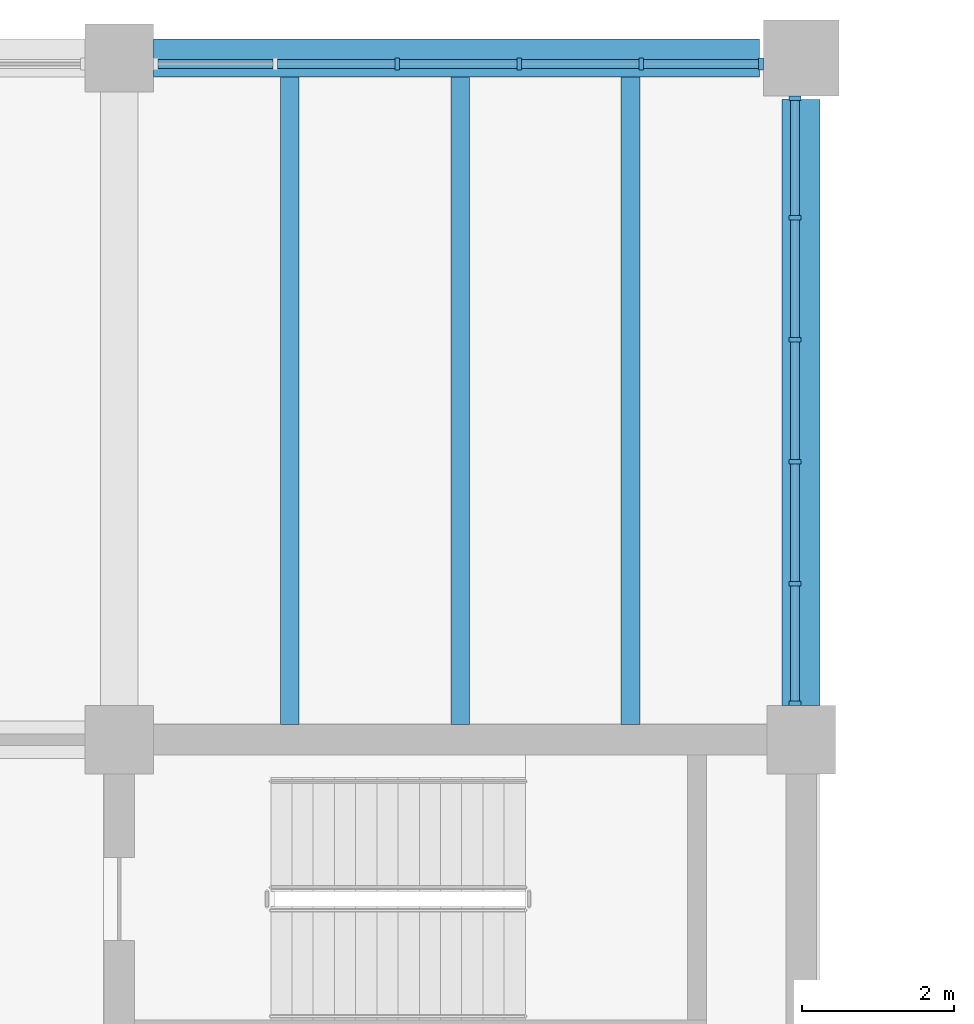
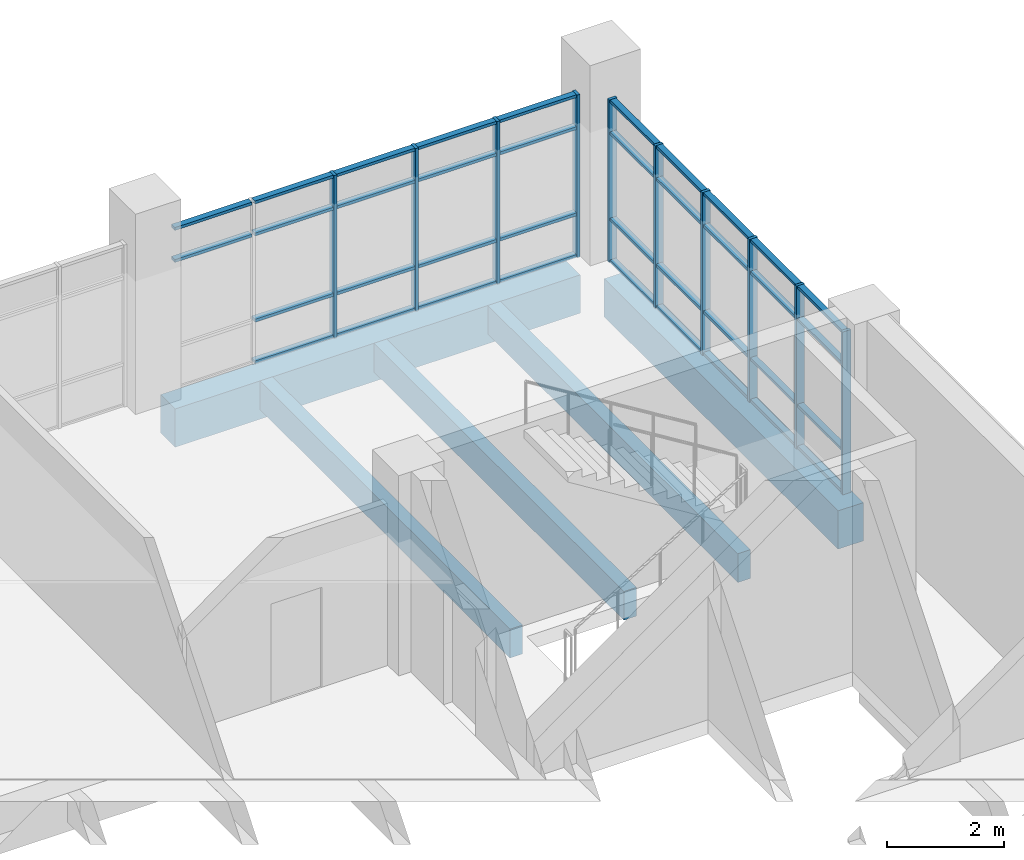
# One storey, part 35 of 88: 48 members, 5 beams, 2 elements without a shape of their own.
"""IFC4 building model written with IfcOpenShell, lengths in metres."""

from ifc_helpers import new_model, si_unit, direction, frame, origin, origin_2d, place, context, subcontext, project, spatial, rectangle, extrude, material, material_profile, profile_set, type_object, element, aggregate, save


model = new_model("IFC4")

# Units and contexts
model_context = context("Model", 3, precision=1e-05, world=origin(), true_north=direction((0.0, 1.0)))
body_context = subcontext(model_context, "Body", "Model", "MODEL_VIEW")
ifc_project = project(units=[si_unit("LENGTHUNIT", "METRE"), si_unit("AREAUNIT", "SQUARE_METRE"), si_unit("VOLUMEUNIT", "CUBIC_METRE"), si_unit("PLANEANGLEUNIT", "RADIAN"), si_unit("MASSUNIT", "GRAM", prefix="KILO")], contexts=[model_context])

# Site, building, storey
site_placement = place(None, origin())
site = spatial("IfcSite", under=ifc_project, at=site_placement, CompositionType="ELEMENT")
building_placement = place(site_placement, origin())
building = spatial("IfcBuilding", under=site, at=building_placement, Name="Merrow Basin Faculty of Sciences", CompositionType="ELEMENT")
storey_placement = place(building_placement, frame((0.0, 0.0, 9.0)))
storey = spatial("IfcBuildingStorey", under=building, at=storey_placement, Name="L02", CompositionType="ELEMENT", Elevation=9.0)

# Curtain wall, members
ifc_material_1 = material(Name="Aluminium alloy 6063", Category="aluminium")
curtain_wall_type = type_object("IfcCurtainWallType", Name="Unitised curtain wall 160", PredefinedType="NOTDEFINED", material=ifc_material_1)
curtain_wall_1_placement = place(storey_placement, origin())
curtain_wall_1 = element("IfcCurtainWall", 1, at=curtain_wall_1_placement, inside=storey, type_object=curtain_wall_type, Name="N curtain wall L02 7", PredefinedType="NOTDEFINED")
ifc_material_2 = material(Name="Aluminium alloy 6063", Category="aluminium")
ifc_material_profile_1 = material_profile(ifc_material_2, rectangle(XDim=0.159912109375, YDim=0.06005859375, at=origin_2d()))
ifc_profile_set_1 = profile_set([ifc_material_profile_1], Name="Aluminium alloy 6063")
member_type_1 = type_object("IfcMemberType", Name="Aluminium mullion 60x160", PredefinedType="MULLION", material=ifc_profile_set_1)
member_1_placement = place(storey_placement, frame((48.669921875, 168.919921875, 0.0), z_axis=(0.0, 0.0, 1.0), x_axis=(0.0, 1.0, 0.0)))
member_1 = element("IfcMember", 2, at=member_1_placement, type_object=member_type_1, Name="CW3 mullion 3", PredefinedType="MULLION", context=body_context, shape_type="SweptSolid", body=[
    extrude(rectangle(XDim=0.159912109375, YDim=0.06005859375, at=origin_2d()), origin(), (0.0, 0.0, 1.0), 3.39990234375),
])
member_2_placement = place(storey_placement, frame((50.280029296875, 168.919921875, 0.0), z_axis=(0.0, 0.0, 1.0), x_axis=(0.0, 1.0, 0.0)))
member_2 = element("IfcMember", 3, at=member_2_placement, type_object=member_type_1, Name="CW3 mullion 4", PredefinedType="MULLION", context=body_context, shape_type="SweptSolid", body=[
    extrude(rectangle(XDim=0.159912109375, YDim=0.06005859375, at=origin_2d()), origin(), (0.0, 0.0, 1.0), 3.39990234375),
])
member_3_placement = place(storey_placement, frame((51.889892578125, 168.919921875, 0.0), z_axis=(0.0, 0.0, 1.0), x_axis=(0.0, 1.0, 0.0)))
member_3 = element("IfcMember", 4, at=member_3_placement, type_object=member_type_1, Name="CW3 mullion 5", PredefinedType="MULLION", context=body_context, shape_type="SweptSolid", body=[
    extrude(rectangle(XDim=0.159912109375, YDim=0.06005859375, at=origin_2d()), origin(), (0.0, 0.0, 1.0), 3.39990234375),
])
member_4_placement = place(storey_placement, frame((53.469970703125, 168.919921875, 0.0), z_axis=(0.0, 0.0, 1.0), x_axis=(0.0, 1.0, 0.0)))
member_4 = element("IfcMember", 5, at=member_4_placement, type_object=member_type_1, Name="CW3 mullion 6", PredefinedType="MULLION", context=body_context, shape_type="SweptSolid", body=[
    extrude(rectangle(XDim=0.159912109375, YDim=0.06005859375, at=origin_2d()), origin(), (0.0, 0.0, 1.0), 3.39990234375),
])

curtain_wall_2_placement = place(storey_placement, origin())
curtain_wall_2 = element("IfcCurtainWall", 6, at=curtain_wall_2_placement, inside=storey, type_object=curtain_wall_type, Name="E curtain wall L02 1", PredefinedType="NOTDEFINED")
member_5_placement = place(storey_placement, frame((53.919921875, 160.47998046875, 0.0), z_axis=(0.0, 0.0, 1.0), x_axis=(-1.0, 0.0, 0.0)))
member_5 = element("IfcMember", 7, at=member_5_placement, type_object=member_type_1, Name="CW3 mullion 1", PredefinedType="MULLION", context=body_context, shape_type="SweptSolid", body=[
    extrude(rectangle(XDim=0.159912109375, YDim=0.06005859375, at=origin_2d()), origin(), (0.0, 0.0, 1.0), 3.39990234375),
])
member_6_placement = place(storey_placement, frame((53.919921875, 162.06005859375, 0.0), z_axis=(0.0, 0.0, 1.0), x_axis=(-1.0, 0.0, 0.0)))
member_6 = element("IfcMember", 8, at=member_6_placement, type_object=member_type_1, Name="CW3 mullion 2", PredefinedType="MULLION", context=body_context, shape_type="SweptSolid", body=[
    extrude(rectangle(XDim=0.159912109375, YDim=0.06005859375, at=origin_2d()), origin(), (0.0, 0.0, 1.0), 3.39990234375),
])
member_7_placement = place(storey_placement, frame((53.919921875, 163.669921875, 0.0), z_axis=(0.0, 0.0, 1.0), x_axis=(-1.0, 0.0, 0.0)))
member_7 = element("IfcMember", 9, at=member_7_placement, type_object=member_type_1, Name="CW3 mullion 3", PredefinedType="MULLION", context=body_context, shape_type="SweptSolid", body=[
    extrude(rectangle(XDim=0.159912109375, YDim=0.06005859375, at=origin_2d()), origin(), (0.0, 0.0, 1.0), 3.39990234375),
])
member_8_placement = place(storey_placement, frame((53.919921875, 165.280029296875, 0.0), z_axis=(0.0, 0.0, 1.0), x_axis=(-1.0, 0.0, 0.0)))
member_8 = element("IfcMember", 10, at=member_8_placement, type_object=member_type_1, Name="CW3 mullion 4", PredefinedType="MULLION", context=body_context, shape_type="SweptSolid", body=[
    extrude(rectangle(XDim=0.159912109375, YDim=0.06005859375, at=origin_2d()), origin(), (0.0, 0.0, 1.0), 3.39990234375),
])
member_9_placement = place(storey_placement, frame((53.919921875, 166.889892578125, 0.0), z_axis=(0.0, 0.0, 1.0), x_axis=(-1.0, 0.0, 0.0)))
member_9 = element("IfcMember", 11, at=member_9_placement, type_object=member_type_1, Name="CW3 mullion 5", PredefinedType="MULLION", context=body_context, shape_type="SweptSolid", body=[
    extrude(rectangle(XDim=0.159912109375, YDim=0.06005859375, at=origin_2d()), origin(), (0.0, 0.0, 1.0), 3.39990234375),
])
member_10_placement = place(storey_placement, frame((53.919921875, 168.469970703125, 0.0), z_axis=(0.0, 0.0, 1.0), x_axis=(-1.0, 0.0, 0.0)))
member_10 = element("IfcMember", 12, at=member_10_placement, type_object=member_type_1, Name="CW3 mullion 6", PredefinedType="MULLION", context=body_context, shape_type="SweptSolid", body=[
    extrude(rectangle(XDim=0.159912109375, YDim=0.06005859375, at=origin_2d()), origin(), (0.0, 0.0, 1.0), 3.39990234375),
])

# Member
ifc_material_3 = material(Name="Aluminium alloy 6063", Category="aluminium")
ifc_material_profile_2 = material_profile(ifc_material_3, rectangle(XDim=0.1201171875, YDim=0.06005859375, at=origin_2d()))
ifc_profile_set_2 = profile_set([ifc_material_profile_2], Name="Aluminium alloy 6063")
member_type_2 = type_object("IfcMemberType", Name="Aluminium transom 60x120", PredefinedType="USERDEFINED", material=ifc_profile_set_2)
member_11_placement = place(storey_placement, frame((45.510009765625, 168.919921875, 2.699951171875), z_axis=(1.0, 0.0, 0.0), x_axis=(0.0, 1.0, 0.0)))
member_11 = element("IfcMember", 13, at=member_11_placement, type_object=member_type_2, Name="CW3 transom 1.3", ObjectType="TRANSOM", PredefinedType="USERDEFINED", context=body_context, shape_type="SweptSolid", body=[
    extrude(rectangle(XDim=0.1201171875, YDim=0.06005859375, at=origin_2d()), origin(), (0.0, 0.0, 1.0), 1.52001953125),
])

member_12_placement = place(storey_placement, frame((45.510009765625, 168.919921875, 3.3701171875), z_axis=(1.0, 0.0, 0.0), x_axis=(0.0, 1.0, 0.0)))
member_12 = element("IfcMember", 14, at=member_12_placement, type_object=member_type_2, Name="CW3 transom 1.4", ObjectType="TRANSOM", PredefinedType="USERDEFINED", context=body_context, shape_type="SweptSolid", body=[
    extrude(rectangle(XDim=0.1201171875, YDim=0.06005859375, at=origin_2d()), origin(), (0.0, 0.0, 1.0), 1.52001953125),
])

member_13_placement = place(storey_placement, frame((47.090087890625, 168.919921875, 0.030029296875), z_axis=(1.0, 0.0, 0.0), x_axis=(0.0, 1.0, 0.0)))
member_13 = element("IfcMember", 15, at=member_13_placement, type_object=member_type_2, Name="CW3 transom 2.1", ObjectType="TRANSOM", PredefinedType="USERDEFINED", context=body_context, shape_type="SweptSolid", body=[
    extrude(rectangle(XDim=0.1201171875, YDim=0.06005859375, at=origin_2d()), origin(), (0.0, 0.0, 1.0), 1.5498046875),
])

member_14_placement = place(storey_placement, frame((47.090087890625, 168.919921875, 0.89990234375), z_axis=(1.0, 0.0, 0.0), x_axis=(0.0, 1.0, 0.0)))
member_14 = element("IfcMember", 16, at=member_14_placement, type_object=member_type_2, Name="CW3 transom 2.2", ObjectType="TRANSOM", PredefinedType="USERDEFINED", context=body_context, shape_type="SweptSolid", body=[
    extrude(rectangle(XDim=0.1201171875, YDim=0.06005859375, at=origin_2d()), origin(), (0.0, 0.0, 1.0), 1.5498046875),
])

member_15_placement = place(storey_placement, frame((47.090087890625, 168.919921875, 2.699951171875), z_axis=(1.0, 0.0, 0.0), x_axis=(0.0, 1.0, 0.0)))
member_15 = element("IfcMember", 17, at=member_15_placement, type_object=member_type_2, Name="CW3 transom 2.3", ObjectType="TRANSOM", PredefinedType="USERDEFINED", context=body_context, shape_type="SweptSolid", body=[
    extrude(rectangle(XDim=0.1201171875, YDim=0.06005859375, at=origin_2d()), origin(), (0.0, 0.0, 1.0), 1.5498046875),
])

member_16_placement = place(storey_placement, frame((47.090087890625, 168.919921875, 3.3701171875), z_axis=(1.0, 0.0, 0.0), x_axis=(0.0, 1.0, 0.0)))
member_16 = element("IfcMember", 18, at=member_16_placement, type_object=member_type_2, Name="CW3 transom 2.4", ObjectType="TRANSOM", PredefinedType="USERDEFINED", context=body_context, shape_type="SweptSolid", body=[
    extrude(rectangle(XDim=0.1201171875, YDim=0.06005859375, at=origin_2d()), origin(), (0.0, 0.0, 1.0), 1.5498046875),
])

member_17_placement = place(storey_placement, frame((48.699951171875, 168.919921875, 0.030029296875), z_axis=(1.0, 0.0, 0.0), x_axis=(0.0, 1.0, 0.0)))
member_17 = element("IfcMember", 19, at=member_17_placement, type_object=member_type_2, Name="CW3 transom 3.1", ObjectType="TRANSOM", PredefinedType="USERDEFINED", context=body_context, shape_type="SweptSolid", body=[
    extrude(rectangle(XDim=0.1201171875, YDim=0.06005859375, at=origin_2d()), origin(), (0.0, 0.0, 1.0), 1.550048828125),
])

member_18_placement = place(storey_placement, frame((48.699951171875, 168.919921875, 0.89990234375), z_axis=(1.0, 0.0, 0.0), x_axis=(0.0, 1.0, 0.0)))
member_18 = element("IfcMember", 20, at=member_18_placement, type_object=member_type_2, Name="CW3 transom 3.2", ObjectType="TRANSOM", PredefinedType="USERDEFINED", context=body_context, shape_type="SweptSolid", body=[
    extrude(rectangle(XDim=0.1201171875, YDim=0.06005859375, at=origin_2d()), origin(), (0.0, 0.0, 1.0), 1.550048828125),
])

member_19_placement = place(storey_placement, frame((48.699951171875, 168.919921875, 2.699951171875), z_axis=(1.0, 0.0, 0.0), x_axis=(0.0, 1.0, 0.0)))
member_19 = element("IfcMember", 21, at=member_19_placement, type_object=member_type_2, Name="CW3 transom 3.3", ObjectType="TRANSOM", PredefinedType="USERDEFINED", context=body_context, shape_type="SweptSolid", body=[
    extrude(rectangle(XDim=0.1201171875, YDim=0.06005859375, at=origin_2d()), origin(), (0.0, 0.0, 1.0), 1.550048828125),
])

member_20_placement = place(storey_placement, frame((48.699951171875, 168.919921875, 3.3701171875), z_axis=(1.0, 0.0, 0.0), x_axis=(0.0, 1.0, 0.0)))
member_20 = element("IfcMember", 22, at=member_20_placement, type_object=member_type_2, Name="CW3 transom 3.4", ObjectType="TRANSOM", PredefinedType="USERDEFINED", context=body_context, shape_type="SweptSolid", body=[
    extrude(rectangle(XDim=0.1201171875, YDim=0.06005859375, at=origin_2d()), origin(), (0.0, 0.0, 1.0), 1.550048828125),
])

member_21_placement = place(storey_placement, frame((50.31005859375, 168.919921875, 0.030029296875), z_axis=(1.0, 0.0, 0.0), x_axis=(0.0, 1.0, 0.0)))
member_21 = element("IfcMember", 23, at=member_21_placement, type_object=member_type_2, Name="CW3 transom 4.1", ObjectType="TRANSOM", PredefinedType="USERDEFINED", context=body_context, shape_type="SweptSolid", body=[
    extrude(rectangle(XDim=0.1201171875, YDim=0.06005859375, at=origin_2d()), origin(), (0.0, 0.0, 1.0), 1.550048828125),
])

member_22_placement = place(storey_placement, frame((50.31005859375, 168.919921875, 0.89990234375), z_axis=(1.0, 0.0, 0.0), x_axis=(0.0, 1.0, 0.0)))
member_22 = element("IfcMember", 24, at=member_22_placement, type_object=member_type_2, Name="CW3 transom 4.2", ObjectType="TRANSOM", PredefinedType="USERDEFINED", context=body_context, shape_type="SweptSolid", body=[
    extrude(rectangle(XDim=0.1201171875, YDim=0.06005859375, at=origin_2d()), origin(), (0.0, 0.0, 1.0), 1.550048828125),
])

member_23_placement = place(storey_placement, frame((50.31005859375, 168.919921875, 2.699951171875), z_axis=(1.0, 0.0, 0.0), x_axis=(0.0, 1.0, 0.0)))
member_23 = element("IfcMember", 25, at=member_23_placement, type_object=member_type_2, Name="CW3 transom 4.3", ObjectType="TRANSOM", PredefinedType="USERDEFINED", context=body_context, shape_type="SweptSolid", body=[
    extrude(rectangle(XDim=0.1201171875, YDim=0.06005859375, at=origin_2d()), origin(), (0.0, 0.0, 1.0), 1.550048828125),
])

member_24_placement = place(storey_placement, frame((50.31005859375, 168.919921875, 3.3701171875), z_axis=(1.0, 0.0, 0.0), x_axis=(0.0, 1.0, 0.0)))
member_24 = element("IfcMember", 26, at=member_24_placement, type_object=member_type_2, Name="CW3 transom 4.4", ObjectType="TRANSOM", PredefinedType="USERDEFINED", context=body_context, shape_type="SweptSolid", body=[
    extrude(rectangle(XDim=0.1201171875, YDim=0.06005859375, at=origin_2d()), origin(), (0.0, 0.0, 1.0), 1.550048828125),
])

member_25_placement = place(storey_placement, frame((51.919921875, 168.919921875, 0.030029296875), z_axis=(1.0, 0.0, 0.0), x_axis=(0.0, 1.0, 0.0)))
member_25 = element("IfcMember", 27, at=member_25_placement, type_object=member_type_2, Name="CW3 transom 5.1", ObjectType="TRANSOM", PredefinedType="USERDEFINED", context=body_context, shape_type="SweptSolid", body=[
    extrude(rectangle(XDim=0.1201171875, YDim=0.06005859375, at=origin_2d()), origin(), (0.0, 0.0, 1.0), 1.52001953125),
])

member_26_placement = place(storey_placement, frame((51.919921875, 168.919921875, 0.89990234375), z_axis=(1.0, 0.0, 0.0), x_axis=(0.0, 1.0, 0.0)))
member_26 = element("IfcMember", 28, at=member_26_placement, type_object=member_type_2, Name="CW3 transom 5.2", ObjectType="TRANSOM", PredefinedType="USERDEFINED", context=body_context, shape_type="SweptSolid", body=[
    extrude(rectangle(XDim=0.1201171875, YDim=0.06005859375, at=origin_2d()), origin(), (0.0, 0.0, 1.0), 1.52001953125),
])

member_27_placement = place(storey_placement, frame((51.919921875, 168.919921875, 2.699951171875), z_axis=(1.0, 0.0, 0.0), x_axis=(0.0, 1.0, 0.0)))
member_27 = element("IfcMember", 29, at=member_27_placement, type_object=member_type_2, Name="CW3 transom 5.3", ObjectType="TRANSOM", PredefinedType="USERDEFINED", context=body_context, shape_type="SweptSolid", body=[
    extrude(rectangle(XDim=0.1201171875, YDim=0.06005859375, at=origin_2d()), origin(), (0.0, 0.0, 1.0), 1.52001953125),
])

member_28_placement = place(storey_placement, frame((51.919921875, 168.919921875, 3.3701171875), z_axis=(1.0, 0.0, 0.0), x_axis=(0.0, 1.0, 0.0)))
member_28 = element("IfcMember", 30, at=member_28_placement, type_object=member_type_2, Name="CW3 transom 5.4", ObjectType="TRANSOM", PredefinedType="USERDEFINED", context=body_context, shape_type="SweptSolid", body=[
    extrude(rectangle(XDim=0.1201171875, YDim=0.06005859375, at=origin_2d()), origin(), (0.0, 0.0, 1.0), 1.52001953125),
])

aggregate(curtain_wall_1, [member_1, member_2, member_3, member_4, member_11, member_12, member_13, member_14, member_15, member_16, member_17, member_18, member_19, member_20, member_21, member_22, member_23, member_24, member_25, member_26, member_27, member_28])

member_29_placement = place(storey_placement, frame((53.919921875, 160.510009765625, 0.030029296875), z_axis=(0.0, 1.0, 0.0), x_axis=(-1.0, 0.0, 0.0)))
member_29 = element("IfcMember", 31, at=member_29_placement, type_object=member_type_2, Name="CW3 transom 1.1", ObjectType="TRANSOM", PredefinedType="USERDEFINED", context=body_context, shape_type="SweptSolid", body=[
    extrude(rectangle(XDim=0.1201171875, YDim=0.06005859375, at=origin_2d()), origin(), (0.0, 0.0, 1.0), 1.52001953125),
])

member_30_placement = place(storey_placement, frame((53.919921875, 160.510009765625, 0.89990234375), z_axis=(0.0, 1.0, 0.0), x_axis=(-1.0, 0.0, 0.0)))
member_30 = element("IfcMember", 32, at=member_30_placement, type_object=member_type_2, Name="CW3 transom 1.2", ObjectType="TRANSOM", PredefinedType="USERDEFINED", context=body_context, shape_type="SweptSolid", body=[
    extrude(rectangle(XDim=0.1201171875, YDim=0.06005859375, at=origin_2d()), origin(), (0.0, 0.0, 1.0), 1.52001953125),
])

member_31_placement = place(storey_placement, frame((53.919921875, 160.510009765625, 2.699951171875), z_axis=(0.0, 1.0, 0.0), x_axis=(-1.0, 0.0, 0.0)))
member_31 = element("IfcMember", 33, at=member_31_placement, type_object=member_type_2, Name="CW3 transom 1.3", ObjectType="TRANSOM", PredefinedType="USERDEFINED", context=body_context, shape_type="SweptSolid", body=[
    extrude(rectangle(XDim=0.1201171875, YDim=0.06005859375, at=origin_2d()), origin(), (0.0, 0.0, 1.0), 1.52001953125),
])

member_32_placement = place(storey_placement, frame((53.919921875, 160.510009765625, 3.3701171875), z_axis=(0.0, 1.0, 0.0), x_axis=(-1.0, 0.0, 0.0)))
member_32 = element("IfcMember", 34, at=member_32_placement, type_object=member_type_2, Name="CW3 transom 1.4", ObjectType="TRANSOM", PredefinedType="USERDEFINED", context=body_context, shape_type="SweptSolid", body=[
    extrude(rectangle(XDim=0.1201171875, YDim=0.06005859375, at=origin_2d()), origin(), (0.0, 0.0, 1.0), 1.52001953125),
])

member_33_placement = place(storey_placement, frame((53.919921875, 162.090087890625, 0.030029296875), z_axis=(0.0, 1.0, 0.0), x_axis=(-1.0, 0.0, 0.0)))
member_33 = element("IfcMember", 35, at=member_33_placement, type_object=member_type_2, Name="CW3 transom 2.1", ObjectType="TRANSOM", PredefinedType="USERDEFINED", context=body_context, shape_type="SweptSolid", body=[
    extrude(rectangle(XDim=0.1201171875, YDim=0.06005859375, at=origin_2d()), origin(), (0.0, 0.0, 1.0), 1.5498046875),
])

member_34_placement = place(storey_placement, frame((53.919921875, 162.090087890625, 0.89990234375), z_axis=(0.0, 1.0, 0.0), x_axis=(-1.0, 0.0, 0.0)))
member_34 = element("IfcMember", 36, at=member_34_placement, type_object=member_type_2, Name="CW3 transom 2.2", ObjectType="TRANSOM", PredefinedType="USERDEFINED", context=body_context, shape_type="SweptSolid", body=[
    extrude(rectangle(XDim=0.1201171875, YDim=0.06005859375, at=origin_2d()), origin(), (0.0, 0.0, 1.0), 1.5498046875),
])

member_35_placement = place(storey_placement, frame((53.919921875, 162.090087890625, 2.699951171875), z_axis=(0.0, 1.0, 0.0), x_axis=(-1.0, 0.0, 0.0)))
member_35 = element("IfcMember", 37, at=member_35_placement, type_object=member_type_2, Name="CW3 transom 2.3", ObjectType="TRANSOM", PredefinedType="USERDEFINED", context=body_context, shape_type="SweptSolid", body=[
    extrude(rectangle(XDim=0.1201171875, YDim=0.06005859375, at=origin_2d()), origin(), (0.0, 0.0, 1.0), 1.5498046875),
])

member_36_placement = place(storey_placement, frame((53.919921875, 162.090087890625, 3.3701171875), z_axis=(0.0, 1.0, 0.0), x_axis=(-1.0, 0.0, 0.0)))
member_36 = element("IfcMember", 38, at=member_36_placement, type_object=member_type_2, Name="CW3 transom 2.4", ObjectType="TRANSOM", PredefinedType="USERDEFINED", context=body_context, shape_type="SweptSolid", body=[
    extrude(rectangle(XDim=0.1201171875, YDim=0.06005859375, at=origin_2d()), origin(), (0.0, 0.0, 1.0), 1.5498046875),
])

member_37_placement = place(storey_placement, frame((53.919921875, 163.699951171875, 0.030029296875), z_axis=(0.0, 1.0, 0.0), x_axis=(-1.0, 0.0, 0.0)))
member_37 = element("IfcMember", 39, at=member_37_placement, type_object=member_type_2, Name="CW3 transom 3.1", ObjectType="TRANSOM", PredefinedType="USERDEFINED", context=body_context, shape_type="SweptSolid", body=[
    extrude(rectangle(XDim=0.1201171875, YDim=0.06005859375, at=origin_2d()), origin(), (0.0, 0.0, 1.0), 1.550048828125),
])

member_38_placement = place(storey_placement, frame((53.919921875, 163.699951171875, 0.89990234375), z_axis=(0.0, 1.0, 0.0), x_axis=(-1.0, 0.0, 0.0)))
member_38 = element("IfcMember", 40, at=member_38_placement, type_object=member_type_2, Name="CW3 transom 3.2", ObjectType="TRANSOM", PredefinedType="USERDEFINED", context=body_context, shape_type="SweptSolid", body=[
    extrude(rectangle(XDim=0.1201171875, YDim=0.06005859375, at=origin_2d()), origin(), (0.0, 0.0, 1.0), 1.550048828125),
])

member_39_placement = place(storey_placement, frame((53.919921875, 163.699951171875, 2.699951171875), z_axis=(0.0, 1.0, 0.0), x_axis=(-1.0, 0.0, 0.0)))
member_39 = element("IfcMember", 41, at=member_39_placement, type_object=member_type_2, Name="CW3 transom 3.3", ObjectType="TRANSOM", PredefinedType="USERDEFINED", context=body_context, shape_type="SweptSolid", body=[
    extrude(rectangle(XDim=0.1201171875, YDim=0.06005859375, at=origin_2d()), origin(), (0.0, 0.0, 1.0), 1.550048828125),
])

member_40_placement = place(storey_placement, frame((53.919921875, 163.699951171875, 3.3701171875), z_axis=(0.0, 1.0, 0.0), x_axis=(-1.0, 0.0, 0.0)))
member_40 = element("IfcMember", 42, at=member_40_placement, type_object=member_type_2, Name="CW3 transom 3.4", ObjectType="TRANSOM", PredefinedType="USERDEFINED", context=body_context, shape_type="SweptSolid", body=[
    extrude(rectangle(XDim=0.1201171875, YDim=0.06005859375, at=origin_2d()), origin(), (0.0, 0.0, 1.0), 1.550048828125),
])

member_41_placement = place(storey_placement, frame((53.919921875, 165.31005859375, 0.030029296875), z_axis=(0.0, 1.0, 0.0), x_axis=(-1.0, 0.0, 0.0)))
member_41 = element("IfcMember", 43, at=member_41_placement, type_object=member_type_2, Name="CW3 transom 4.1", ObjectType="TRANSOM", PredefinedType="USERDEFINED", context=body_context, shape_type="SweptSolid", body=[
    extrude(rectangle(XDim=0.1201171875, YDim=0.06005859375, at=origin_2d()), origin(), (0.0, 0.0, 1.0), 1.550048828125),
])

member_42_placement = place(storey_placement, frame((53.919921875, 165.31005859375, 0.89990234375), z_axis=(0.0, 1.0, 0.0), x_axis=(-1.0, 0.0, 0.0)))
member_42 = element("IfcMember", 44, at=member_42_placement, type_object=member_type_2, Name="CW3 transom 4.2", ObjectType="TRANSOM", PredefinedType="USERDEFINED", context=body_context, shape_type="SweptSolid", body=[
    extrude(rectangle(XDim=0.1201171875, YDim=0.06005859375, at=origin_2d()), origin(), (0.0, 0.0, 1.0), 1.550048828125),
])

member_43_placement = place(storey_placement, frame((53.919921875, 165.31005859375, 2.699951171875), z_axis=(0.0, 1.0, 0.0), x_axis=(-1.0, 0.0, 0.0)))
member_43 = element("IfcMember", 45, at=member_43_placement, type_object=member_type_2, Name="CW3 transom 4.3", ObjectType="TRANSOM", PredefinedType="USERDEFINED", context=body_context, shape_type="SweptSolid", body=[
    extrude(rectangle(XDim=0.1201171875, YDim=0.06005859375, at=origin_2d()), origin(), (0.0, 0.0, 1.0), 1.550048828125),
])

member_44_placement = place(storey_placement, frame((53.919921875, 165.31005859375, 3.3701171875), z_axis=(0.0, 1.0, 0.0), x_axis=(-1.0, 0.0, 0.0)))
member_44 = element("IfcMember", 46, at=member_44_placement, type_object=member_type_2, Name="CW3 transom 4.4", ObjectType="TRANSOM", PredefinedType="USERDEFINED", context=body_context, shape_type="SweptSolid", body=[
    extrude(rectangle(XDim=0.1201171875, YDim=0.06005859375, at=origin_2d()), origin(), (0.0, 0.0, 1.0), 1.550048828125),
])

member_45_placement = place(storey_placement, frame((53.919921875, 166.919921875, 0.030029296875), z_axis=(0.0, 1.0, 0.0), x_axis=(-1.0, 0.0, 0.0)))
member_45 = element("IfcMember", 47, at=member_45_placement, type_object=member_type_2, Name="CW3 transom 5.1", ObjectType="TRANSOM", PredefinedType="USERDEFINED", context=body_context, shape_type="SweptSolid", body=[
    extrude(rectangle(XDim=0.1201171875, YDim=0.06005859375, at=origin_2d()), origin(), (0.0, 0.0, 1.0), 1.52001953125),
])

member_46_placement = place(storey_placement, frame((53.919921875, 166.919921875, 0.89990234375), z_axis=(0.0, 1.0, 0.0), x_axis=(-1.0, 0.0, 0.0)))
member_46 = element("IfcMember", 48, at=member_46_placement, type_object=member_type_2, Name="CW3 transom 5.2", ObjectType="TRANSOM", PredefinedType="USERDEFINED", context=body_context, shape_type="SweptSolid", body=[
    extrude(rectangle(XDim=0.1201171875, YDim=0.06005859375, at=origin_2d()), origin(), (0.0, 0.0, 1.0), 1.52001953125),
])

member_47_placement = place(storey_placement, frame((53.919921875, 166.919921875, 2.699951171875), z_axis=(0.0, 1.0, 0.0), x_axis=(-1.0, 0.0, 0.0)))
member_47 = element("IfcMember", 49, at=member_47_placement, type_object=member_type_2, Name="CW3 transom 5.3", ObjectType="TRANSOM", PredefinedType="USERDEFINED", context=body_context, shape_type="SweptSolid", body=[
    extrude(rectangle(XDim=0.1201171875, YDim=0.06005859375, at=origin_2d()), origin(), (0.0, 0.0, 1.0), 1.52001953125),
])

member_48_placement = place(storey_placement, frame((53.919921875, 166.919921875, 3.3701171875), z_axis=(0.0, 1.0, 0.0), x_axis=(-1.0, 0.0, 0.0)))
member_48 = element("IfcMember", 50, at=member_48_placement, type_object=member_type_2, Name="CW3 transom 5.4", ObjectType="TRANSOM", PredefinedType="USERDEFINED", context=body_context, shape_type="SweptSolid", body=[
    extrude(rectangle(XDim=0.1201171875, YDim=0.06005859375, at=origin_2d()), origin(), (0.0, 0.0, 1.0), 1.52001953125),
])

aggregate(curtain_wall_2, [member_5, member_6, member_7, member_8, member_9, member_10, member_29, member_30, member_31, member_32, member_33, member_34, member_35, member_36, member_37, member_38, member_39, member_40, member_41, member_42, member_43, member_44, member_45, member_46, member_47, member_48])

# Beams
ifc_material_4 = material(Name="Concrete C40/50", Category="concrete")
ifc_material_profile_3 = material_profile(ifc_material_4, rectangle(XDim=0.5, YDim=0.800048828125, at=origin_2d()))
ifc_profile_set_3 = profile_set([ifc_material_profile_3], Name="Concrete C40/50")
beam_type_1 = type_object("IfcBeamType", Name="Beam RC500x800 C40/50", PredefinedType="BEAM", material=ifc_profile_set_3)
for number, where, z_axis, x_axis, name in (
    (51, (45.449951171875, 169.0, -0.699951171875), (1.0, 0.0, 0.0), (0.0, 1.0, 0.0), "B4 L02 012"),
    (52, (54.0, 160.449951171875, -0.699951171875), (0.0, 1.0, 0.0), (-1.0, 0.0, 0.0), "B4 L02 021"),
):
    element("IfcBeam", number, at=place(storey_placement, frame(where, z_axis=z_axis, x_axis=x_axis)), inside=storey, type_object=beam_type_1, Name=name, PredefinedType="BEAM", context=body_context, shape_type="SweptSolid", body=[
        extrude(rectangle(XDim=0.5, YDim=0.800048828125, at=origin_2d()), origin(), (0.0, 0.0, 1.0), 8.0),
    ])
ifc_material_5 = material(Name="Concrete C40/50", Category="concrete")
ifc_material_profile_4 = material_profile(ifc_material_5, rectangle(XDim=0.25, YDim=0.60009765625, at=origin_2d()))
ifc_profile_set_4 = profile_set([ifc_material_profile_4], Name="Concrete C40/50")
beam_type_2 = type_object("IfcBeamType", Name="Tower floor joist RC250x600 C40/50", PredefinedType="BEAM", material=ifc_profile_set_4)
for number, where, z_axis, x_axis, name in (
    (53, (47.25, 160.199951171875, -0.60009765625), (0.0, 1.0, 0.0), (-1.0, 0.0, 0.0), "JT1 L02 056"),
    (54, (49.5, 160.199951171875, -0.60009765625), (0.0, 1.0, 0.0), (-1.0, 0.0, 0.0), "JT1 L02 057"),
    (55, (51.75, 160.199951171875, -0.60009765625), (0.0, 1.0, 0.0), (-1.0, 0.0, 0.0), "JT1 L02 058"),
):
    element("IfcBeam", number, at=place(storey_placement, frame(where, z_axis=z_axis, x_axis=x_axis)), inside=storey, type_object=beam_type_2, Name=name, PredefinedType="BEAM", context=body_context, shape_type="SweptSolid", body=[
        extrude(rectangle(XDim=0.25, YDim=0.60009765625, at=origin_2d()), origin(), (0.0, 0.0, 1.0), 8.550048828125),
    ])

save(model, "model.ifc")
